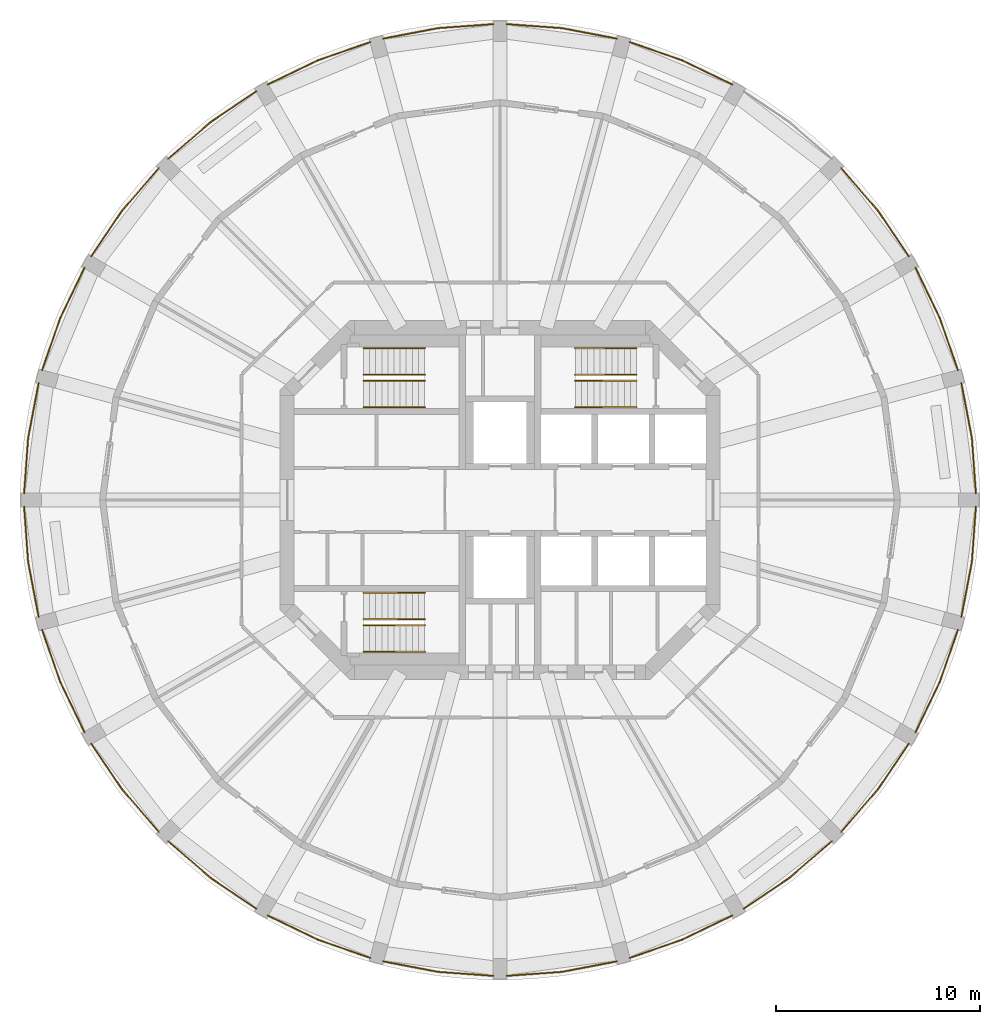
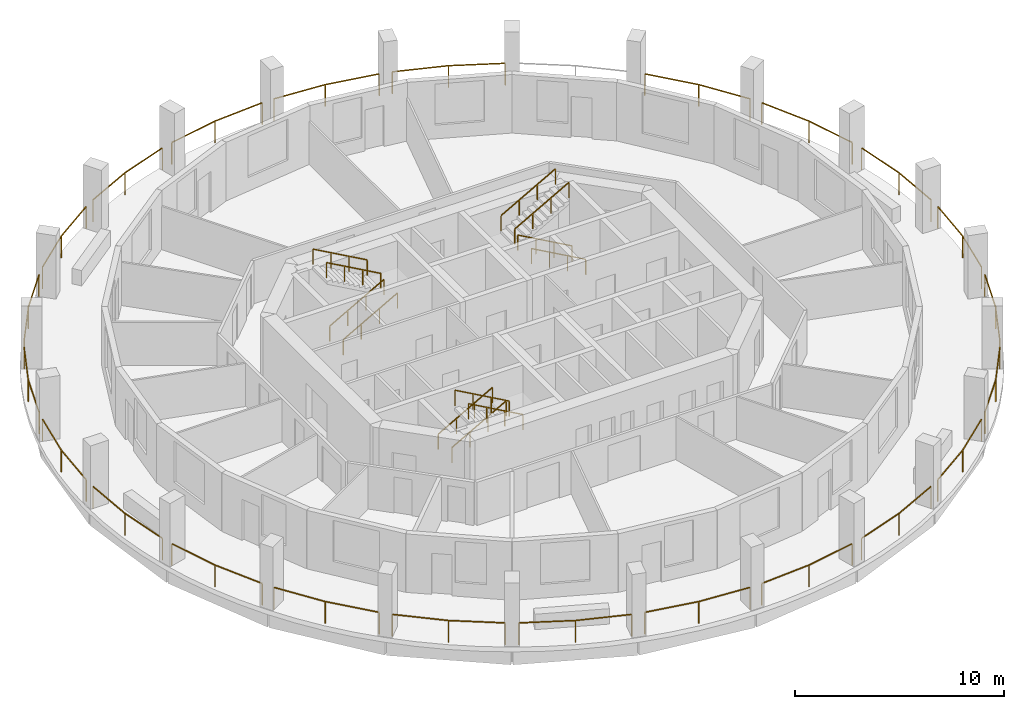
# One storey, part 8 of 9: 35 railings.
"""IFC4 building model written with IfcOpenShell, lengths in metres."""

from ifc_helpers import new_model, si_unit, direction, frame, origin, origin_2d, place, context, subcontext, project, spatial, rectangle, extrude, material, type_object, element, save


model = new_model("IFC4")

# Units and contexts
model_context = context("Model", 3, precision=1e-05, world=origin(), true_north=direction((0.0, 1.0)))
body_context = subcontext(model_context, "Body", "Model", "MODEL_VIEW")
ifc_project = project(units=[si_unit("LENGTHUNIT", "METRE"), si_unit("AREAUNIT", "SQUARE_METRE"), si_unit("VOLUMEUNIT", "CUBIC_METRE"), si_unit("PLANEANGLEUNIT", "RADIAN"), si_unit("MASSUNIT", "GRAM", prefix="KILO")], contexts=[model_context])

# Site, building, storey
site_placement = place(None, origin())
site = spatial("IfcSite", under=ifc_project, at=site_placement, CompositionType="ELEMENT")
building_placement = place(site_placement, origin())
building = spatial("IfcBuilding", under=site, at=building_placement, Name="Torre Triforio", CompositionType="ELEMENT")
storey_placement = place(building_placement, frame((0.0, 0.0, 215.0)))
storey = spatial("IfcBuildingStorey", under=building, at=storey_placement, Name="L49", CompositionType="ELEMENT", Elevation=215.0)

# Railings
ifc_material = material(Name="Stainless steel AISI 316", Category="steel")
railing_type_1 = type_object("IfcRailingType", Name="HANDRAIL 920", PredefinedType="HANDRAIL", material=ifc_material)
for number, where, name in (
    (1, (-6.699951171875, 4.550048828125, 0.168212890625), "Handrail ST1"),
    (2, (-6.699951171875, 5.85009765625, 0.168212890625), "Handrail ST1"),
):
    element("IfcRailing", number, at=place(storey_placement, frame(where)), inside=storey, type_object=railing_type_1, Name=name, PredefinedType="HANDRAIL", context=body_context, shape_type="SweptSolid", body=[
        extrude(rectangle(XDim=0.048095703125, YDim=0.048095703125, at=origin_2d()), frame((0.0, 0.0, 0.89599609375), z_axis=(0.872272294576, 0.0, 0.489020494575), x_axis=(0.0, 1.0, 0.0)), (0.0, 0.0, 1.0), 3.439208984375),
        extrude(rectangle(XDim=0.0419921875, YDim=0.0419921875, at=origin_2d()), origin(), (0.0, 0.0, 1.0), 0.871826171875),
        extrude(rectangle(XDim=0.0419921875, YDim=0.0419921875, at=origin_2d()), frame((1.0, 0.0, 0.560546875)), (0.0, 0.0, 1.0), 0.871826171875),
        extrude(rectangle(XDim=0.0419921875, YDim=0.0419921875, at=origin_2d()), frame((2.0, 0.0, 1.121337890625)), (0.0, 0.0, 1.0), 0.871826171875),
        extrude(rectangle(XDim=0.0419921875, YDim=0.0419921875, at=origin_2d()), frame((3.0, 0.0, 1.681884765625)), (0.0, 0.0, 1.0), 0.871826171875),
    ])
for number, where, name in (
    (3, (-3.699951171875, 7.449951171875, 2.01806640625), "Handrail ST1"),
    (4, (-3.699951171875, 6.14990234375, 2.01806640625), "Handrail ST1"),
    (5, (6.699951171875, 4.550048828125, 0.168212890625), "Handrail ST2"),
    (6, (6.699951171875, 5.85009765625, 0.168212890625), "Handrail ST2"),
):
    element("IfcRailing", number, at=place(storey_placement, frame(where)), inside=storey, type_object=railing_type_1, Name=name, PredefinedType="HANDRAIL", context=body_context, shape_type="SweptSolid", body=[
        extrude(rectangle(XDim=0.048095703125, YDim=0.048095703125, at=origin_2d()), frame((0.0, 0.0, 0.89599609375), z_axis=(-0.872272294576, 0.0, 0.489020494575), x_axis=(0.0, -1.0, 0.0)), (0.0, 0.0, 1.0), 3.439208984375),
        extrude(rectangle(XDim=0.0419921875, YDim=0.0419921875, at=origin_2d()), origin(), (0.0, 0.0, 1.0), 0.871826171875),
        extrude(rectangle(XDim=0.0419921875, YDim=0.0419921875, at=origin_2d()), frame((-1.0, 0.0, 0.560546875)), (0.0, 0.0, 1.0), 0.871826171875),
        extrude(rectangle(XDim=0.0419921875, YDim=0.0419921875, at=origin_2d()), frame((-2.0, 0.0, 1.121337890625)), (0.0, 0.0, 1.0), 0.871826171875),
        extrude(rectangle(XDim=0.0419921875, YDim=0.0419921875, at=origin_2d()), frame((-3.0, 0.0, 1.681884765625)), (0.0, 0.0, 1.0), 0.871826171875),
    ])
for number, where, name in (
    (7, (3.699951171875, 7.449951171875, 2.01806640625), "Handrail ST2"),
    (8, (3.699951171875, 6.14990234375, 2.01806640625), "Handrail ST2"),
    (9, (-6.699951171875, -4.550048828125, 0.168212890625), "Handrail ST3"),
    (10, (-6.699951171875, -5.85009765625, 0.168212890625), "Handrail ST3"),
):
    element("IfcRailing", number, at=place(storey_placement, frame(where)), inside=storey, type_object=railing_type_1, Name=name, PredefinedType="HANDRAIL", context=body_context, shape_type="SweptSolid", body=[
        extrude(rectangle(XDim=0.048095703125, YDim=0.048095703125, at=origin_2d()), frame((0.0, 0.0, 0.89599609375), z_axis=(0.872272294576, 0.0, 0.489020494575), x_axis=(0.0, 1.0, 0.0)), (0.0, 0.0, 1.0), 3.439208984375),
        extrude(rectangle(XDim=0.0419921875, YDim=0.0419921875, at=origin_2d()), origin(), (0.0, 0.0, 1.0), 0.871826171875),
        extrude(rectangle(XDim=0.0419921875, YDim=0.0419921875, at=origin_2d()), frame((1.0, 0.0, 0.560546875)), (0.0, 0.0, 1.0), 0.871826171875),
        extrude(rectangle(XDim=0.0419921875, YDim=0.0419921875, at=origin_2d()), frame((2.0, 0.0, 1.121337890625)), (0.0, 0.0, 1.0), 0.871826171875),
        extrude(rectangle(XDim=0.0419921875, YDim=0.0419921875, at=origin_2d()), frame((3.0, 0.0, 1.681884765625)), (0.0, 0.0, 1.0), 0.871826171875),
    ])
for number, where, name in (
    (11, (-3.699951171875, -7.449951171875, 2.01806640625), "Handrail ST3"),
    (12, (-3.699951171875, -6.14990234375, 2.01806640625), "Handrail ST3"),
):
    element("IfcRailing", number, at=place(storey_placement, frame(where)), inside=storey, type_object=railing_type_1, Name=name, PredefinedType="HANDRAIL", context=body_context, shape_type="SweptSolid", body=[
        extrude(rectangle(XDim=0.048095703125, YDim=0.048095703125, at=origin_2d()), frame((0.0, 0.0, 0.89599609375), z_axis=(-0.872272294576, 0.0, 0.489020494575), x_axis=(0.0, -1.0, 0.0)), (0.0, 0.0, 1.0), 3.439208984375),
        extrude(rectangle(XDim=0.0419921875, YDim=0.0419921875, at=origin_2d()), origin(), (0.0, 0.0, 1.0), 0.871826171875),
        extrude(rectangle(XDim=0.0419921875, YDim=0.0419921875, at=origin_2d()), frame((-1.0, 0.0, 0.560546875)), (0.0, 0.0, 1.0), 0.871826171875),
        extrude(rectangle(XDim=0.0419921875, YDim=0.0419921875, at=origin_2d()), frame((-2.0, 0.0, 1.121337890625)), (0.0, 0.0, 1.0), 0.871826171875),
        extrude(rectangle(XDim=0.0419921875, YDim=0.0419921875, at=origin_2d()), frame((-3.0, 0.0, 1.681884765625)), (0.0, 0.0, 1.0), 0.871826171875),
    ])
railing_type_2 = type_object("IfcRailingType", Name="Loggia guard 1300", PredefinedType="GUARDRAIL", material=ifc_material)
railing_1_placement = place(storey_placement, frame((23.35009765625, 0.320068359375, 0.0)))
element("IfcRailing", 13, at=railing_1_placement, inside=storey, type_object=railing_type_2, Name="Loggia guard L49 bay 01", PredefinedType="GUARDRAIL", context=body_context, shape_type="SweptSolid", body=[
    extrude(rectangle(XDim=0.050048828125, YDim=0.050048828125, at=origin_2d()), frame((0.0, 0.0, 1.27490234375), z_axis=(-0.073105569346, 0.997324207934, 0.0), x_axis=(-0.997324207934, -0.073105569346, 0.0)), (0.0, 0.0, 1.0), 2.735107421875),
    extrude(rectangle(XDim=0.050048828125, YDim=0.050048828125, at=origin_2d()), frame((-0.199951171875, 2.727783203125, 1.27490234375), z_axis=(-0.187542781797, 0.982256435457, 0.0), x_axis=(-0.982256435457, -0.187542781797, 0.0)), (0.0, 0.0, 1.0), 2.735107421875),
    extrude(rectangle(XDim=0.0400390625, YDim=0.0400390625, at=origin_2d()), origin(), (0.0, 0.0, 1.0), 1.25),
    extrude(rectangle(XDim=0.0400390625, YDim=0.0400390625, at=origin_2d()), frame((-0.199951171875, 2.727783203125, 0.0)), (0.0, 0.0, 1.0), 1.25),
    extrude(rectangle(XDim=0.0400390625, YDim=0.0400390625, at=origin_2d()), frame((-0.712890625, 5.414306640625, 0.0)), (0.0, 0.0, 1.0), 1.25),
])
railing_2_placement = place(storey_placement, frame((22.471435546875, 6.3525390625, 0.0)))
element("IfcRailing", 14, at=railing_2_placement, inside=storey, type_object=railing_type_2, Name="Loggia guard L49 bay 02", PredefinedType="GUARDRAIL", context=body_context, shape_type="SweptSolid", body=[
    extrude(rectangle(XDim=0.050048828125, YDim=0.050048828125, at=origin_2d()), frame((0.0, 0.0, 1.27490234375), z_axis=(-0.328652177394, 0.944451029061, 0.0), x_axis=(-0.944451029061, -0.328652177394, 0.0)), (0.0, 0.0, 1.0), 2.735107421875),
    extrude(rectangle(XDim=0.050048828125, YDim=0.050048828125, at=origin_2d()), frame((-0.89892578125, 2.583251953125, 1.27490234375), z_axis=(-0.435427931096, 0.900223592682, 0.0), x_axis=(-0.900223592682, -0.435427931096, 0.0)), (0.0, 0.0, 1.0), 2.735107421875),
    extrude(rectangle(XDim=0.0400390625, YDim=0.0400390625, at=origin_2d()), origin(), (0.0, 0.0, 1.0), 1.25),
    extrude(rectangle(XDim=0.0400390625, YDim=0.0400390625, at=origin_2d()), frame((-0.89892578125, 2.583251953125, 0.0)), (0.0, 0.0, 1.0), 1.25),
    extrude(rectangle(XDim=0.0400390625, YDim=0.0400390625, at=origin_2d()), frame((-2.08984375, 5.04541015625, 0.0)), (0.0, 0.0, 1.0), 1.25),
])
railing_3_placement = place(storey_placement, frame((20.061767578125, 11.9521484375, 0.0)))
element("IfcRailing", 15, at=railing_3_placement, inside=storey, type_object=railing_type_2, Name="Loggia guard L49 bay 03", PredefinedType="GUARDRAIL", context=body_context, shape_type="SweptSolid", body=[
    extrude(rectangle(XDim=0.050048828125, YDim=0.050048828125, at=origin_2d()), frame((0.0, 0.0, 1.27490234375), z_axis=(-0.561909542334, 0.827198686069, 0.0), x_axis=(-0.827198686069, -0.561909542334, 0.0)), (0.0, 0.0, 1.0), 2.735107421875),
    extrude(rectangle(XDim=0.050048828125, YDim=0.050048828125, at=origin_2d()), frame((-1.536865234375, 2.262451171875, 1.27490234375), z_axis=(-0.653580361536, 0.756857127214, 0.0), x_axis=(-0.756857127214, -0.653580361536, 0.0)), (0.0, 0.0, 1.0), 2.735107421875),
    extrude(rectangle(XDim=0.0400390625, YDim=0.0400390625, at=origin_2d()), origin(), (0.0, 0.0, 1.0), 1.25),
    extrude(rectangle(XDim=0.0400390625, YDim=0.0400390625, at=origin_2d()), frame((-1.536865234375, 2.262451171875, 0.0)), (0.0, 0.0, 1.0), 1.25),
    extrude(rectangle(XDim=0.0400390625, YDim=0.0400390625, at=origin_2d()), frame((-3.324462890625, 4.33251953125, 0.0)), (0.0, 0.0, 1.0), 1.25),
])
railing_4_placement = place(storey_placement, frame((11.39794921875, 20.381591796875, 0.0)))
element("IfcRailing", 16, at=railing_4_placement, inside=storey, type_object=railing_type_2, Name="Loggia guard L49 bay 05", PredefinedType="GUARDRAIL", context=body_context, shape_type="SweptSolid", body=[
    extrude(rectangle(XDim=0.050048828125, YDim=0.050048828125, at=origin_2d()), frame((0.0, 0.0, 1.27490234375), z_axis=(-0.900223592682, 0.435427931096, 0.0), x_axis=(-0.435427931096, -0.900223592682, 0.0)), (0.0, 0.0, 1.0), 2.735107421875),
    extrude(rectangle(XDim=0.050048828125, YDim=0.050048828125, at=origin_2d()), frame((-2.462158203125, 1.19091796875, 1.27490234375), z_axis=(-0.944451029061, 0.328652177394, 0.0), x_axis=(-0.328652177394, -0.944451029061, 0.0)), (0.0, 0.0, 1.0), 2.735107421875),
    extrude(rectangle(XDim=0.0400390625, YDim=0.0400390625, at=origin_2d()), origin(), (0.0, 0.0, 1.0), 1.25),
    extrude(rectangle(XDim=0.0400390625, YDim=0.0400390625, at=origin_2d()), frame((-2.462158203125, 1.19091796875, 0.0)), (0.0, 0.0, 1.0), 1.25),
    extrude(rectangle(XDim=0.0400390625, YDim=0.0400390625, at=origin_2d()), frame((-5.04541015625, 2.08984375, 0.0)), (0.0, 0.0, 1.0), 1.25),
])
railing_5_placement = place(storey_placement, frame((5.734375, 22.63720703125, 0.0)))
element("IfcRailing", 17, at=railing_5_placement, inside=storey, type_object=railing_type_2, Name="Loggia guard L49 bay 06", PredefinedType="GUARDRAIL", context=body_context, shape_type="SweptSolid", body=[
    extrude(rectangle(XDim=0.050048828125, YDim=0.050048828125, at=origin_2d()), frame((0.0, 0.0, 1.27490234375), z_axis=(-0.982256435457, 0.187542781797, 0.0), x_axis=(-0.187542781797, -0.982256435457, 0.0)), (0.0, 0.0, 1.0), 2.735107421875),
    extrude(rectangle(XDim=0.050048828125, YDim=0.050048828125, at=origin_2d()), frame((-2.6865234375, 0.512939453125, 1.27490234375), z_axis=(-0.997324207934, 0.073105569346, 0.0), x_axis=(-0.073105569346, -0.997324207934, 0.0)), (0.0, 0.0, 1.0), 2.735107421875),
    extrude(rectangle(XDim=0.0400390625, YDim=0.0400390625, at=origin_2d()), origin(), (0.0, 0.0, 1.0), 1.25),
    extrude(rectangle(XDim=0.0400390625, YDim=0.0400390625, at=origin_2d()), frame((-2.6865234375, 0.512939453125, 0.0)), (0.0, 0.0, 1.0), 1.25),
    extrude(rectangle(XDim=0.0400390625, YDim=0.0400390625, at=origin_2d()), frame((-5.414306640625, 0.712890625, 0.0)), (0.0, 0.0, 1.0), 1.25),
])
railing_6_placement = place(storey_placement, frame((-0.320068359375, 23.35009765625, 0.0)))
element("IfcRailing", 18, at=railing_6_placement, inside=storey, type_object=railing_type_2, Name="Loggia guard L49 bay 07", PredefinedType="GUARDRAIL", context=body_context, shape_type="SweptSolid", body=[
    extrude(rectangle(XDim=0.050048828125, YDim=0.050048828125, at=origin_2d()), frame((0.0, 0.0, 1.27490234375), z_axis=(-0.997324207934, -0.073105569346, 0.0), x_axis=(0.073105569346, -0.997324207934, 0.0)), (0.0, 0.0, 1.0), 2.735107421875),
    extrude(rectangle(XDim=0.050048828125, YDim=0.050048828125, at=origin_2d()), frame((-2.727783203125, -0.199951171875, 1.27490234375), z_axis=(-0.982256435457, -0.187542781797, 0.0), x_axis=(0.187542781797, -0.982256435457, 0.0)), (0.0, 0.0, 1.0), 2.735107421875),
    extrude(rectangle(XDim=0.0400390625, YDim=0.0400390625, at=origin_2d()), origin(), (0.0, 0.0, 1.0), 1.25),
    extrude(rectangle(XDim=0.0400390625, YDim=0.0400390625, at=origin_2d()), frame((-2.727783203125, -0.199951171875, 0.0)), (0.0, 0.0, 1.0), 1.25),
    extrude(rectangle(XDim=0.0400390625, YDim=0.0400390625, at=origin_2d()), frame((-5.414306640625, -0.712890625, 0.0)), (0.0, 0.0, 1.0), 1.25),
])
railing_7_placement = place(storey_placement, frame((-6.3525390625, 22.471435546875, 0.0)))
element("IfcRailing", 19, at=railing_7_placement, inside=storey, type_object=railing_type_2, Name="Loggia guard L49 bay 08", PredefinedType="GUARDRAIL", context=body_context, shape_type="SweptSolid", body=[
    extrude(rectangle(XDim=0.050048828125, YDim=0.050048828125, at=origin_2d()), frame((0.0, 0.0, 1.27490234375), z_axis=(-0.944451029061, -0.328652177394, 0.0), x_axis=(0.328652177394, -0.944451029061, 0.0)), (0.0, 0.0, 1.0), 2.735107421875),
    extrude(rectangle(XDim=0.050048828125, YDim=0.050048828125, at=origin_2d()), frame((-2.583251953125, -0.89892578125, 1.27490234375), z_axis=(-0.900223592682, -0.435427931096, 0.0), x_axis=(0.435427931096, -0.900223592682, 0.0)), (0.0, 0.0, 1.0), 2.735107421875),
    extrude(rectangle(XDim=0.0400390625, YDim=0.0400390625, at=origin_2d()), origin(), (0.0, 0.0, 1.0), 1.25),
    extrude(rectangle(XDim=0.0400390625, YDim=0.0400390625, at=origin_2d()), frame((-2.583251953125, -0.89892578125, 0.0)), (0.0, 0.0, 1.0), 1.25),
    extrude(rectangle(XDim=0.0400390625, YDim=0.0400390625, at=origin_2d()), frame((-5.04541015625, -2.08984375, 0.0)), (0.0, 0.0, 1.0), 1.25),
])
railing_8_placement = place(storey_placement, frame((-11.9521484375, 20.061767578125, 0.0)))
element("IfcRailing", 20, at=railing_8_placement, inside=storey, type_object=railing_type_2, Name="Loggia guard L49 bay 09", PredefinedType="GUARDRAIL", context=body_context, shape_type="SweptSolid", body=[
    extrude(rectangle(XDim=0.050048828125, YDim=0.050048828125, at=origin_2d()), frame((0.0, 0.0, 1.27490234375), z_axis=(-0.827198686069, -0.561909542334, 0.0), x_axis=(0.561909542334, -0.827198686069, 0.0)), (0.0, 0.0, 1.0), 2.735107421875),
    extrude(rectangle(XDim=0.050048828125, YDim=0.050048828125, at=origin_2d()), frame((-2.262451171875, -1.536865234375, 1.27490234375), z_axis=(-0.756857127214, -0.653580361536, 0.0), x_axis=(0.653580361536, -0.756857127214, 0.0)), (0.0, 0.0, 1.0), 2.735107421875),
    extrude(rectangle(XDim=0.0400390625, YDim=0.0400390625, at=origin_2d()), origin(), (0.0, 0.0, 1.0), 1.25),
    extrude(rectangle(XDim=0.0400390625, YDim=0.0400390625, at=origin_2d()), frame((-2.262451171875, -1.536865234375, 0.0)), (0.0, 0.0, 1.0), 1.25),
    extrude(rectangle(XDim=0.0400390625, YDim=0.0400390625, at=origin_2d()), frame((-4.33251953125, -3.324462890625, 0.0)), (0.0, 0.0, 1.0), 1.25),
])
railing_9_placement = place(storey_placement, frame((-16.7373046875, 16.28466796875, 0.0)))
element("IfcRailing", 21, at=railing_9_placement, inside=storey, type_object=railing_type_2, Name="Loggia guard L49 bay 10", PredefinedType="GUARDRAIL", context=body_context, shape_type="SweptSolid", body=[
    extrude(rectangle(XDim=0.050048828125, YDim=0.050048828125, at=origin_2d()), frame((0.0, 0.0, 1.27490234375), z_axis=(-0.653580361536, -0.756857127214, 0.0), x_axis=(0.756857127214, -0.653580361536, 0.0)), (0.0, 0.0, 1.0), 2.735107421875),
    extrude(rectangle(XDim=0.050048828125, YDim=0.050048828125, at=origin_2d()), frame((-1.78759765625, -2.070068359375, 1.27490234375), z_axis=(-0.561909542334, -0.827198686069, 0.0), x_axis=(0.827198686069, -0.561909542334, 0.0)), (0.0, 0.0, 1.0), 2.735107421875),
    extrude(rectangle(XDim=0.0400390625, YDim=0.0400390625, at=origin_2d()), origin(), (0.0, 0.0, 1.0), 1.25),
    extrude(rectangle(XDim=0.0400390625, YDim=0.0400390625, at=origin_2d()), frame((-1.78759765625, -2.070068359375, 0.0)), (0.0, 0.0, 1.0), 1.25),
    extrude(rectangle(XDim=0.0400390625, YDim=0.0400390625, at=origin_2d()), frame((-3.324462890625, -4.33251953125, 0.0)), (0.0, 0.0, 1.0), 1.25),
])
railing_10_placement = place(storey_placement, frame((-20.381591796875, 11.39794921875, 0.0)))
element("IfcRailing", 22, at=railing_10_placement, inside=storey, type_object=railing_type_2, Name="Loggia guard L49 bay 11", PredefinedType="GUARDRAIL", context=body_context, shape_type="SweptSolid", body=[
    extrude(rectangle(XDim=0.050048828125, YDim=0.050048828125, at=origin_2d()), frame((0.0, 0.0, 1.27490234375), z_axis=(-0.435427931096, -0.900223592682, 0.0), x_axis=(0.900223592682, -0.435427931096, 0.0)), (0.0, 0.0, 1.0), 2.735107421875),
    extrude(rectangle(XDim=0.050048828125, YDim=0.050048828125, at=origin_2d()), frame((-1.19091796875, -2.462158203125, 1.27490234375), z_axis=(-0.328652177394, -0.944451029061, 0.0), x_axis=(0.944451029061, -0.328652177394, 0.0)), (0.0, 0.0, 1.0), 2.735107421875),
    extrude(rectangle(XDim=0.0400390625, YDim=0.0400390625, at=origin_2d()), origin(), (0.0, 0.0, 1.0), 1.25),
    extrude(rectangle(XDim=0.0400390625, YDim=0.0400390625, at=origin_2d()), frame((-1.19091796875, -2.462158203125, 0.0)), (0.0, 0.0, 1.0), 1.25),
    extrude(rectangle(XDim=0.0400390625, YDim=0.0400390625, at=origin_2d()), frame((-2.08984375, -5.04541015625, 0.0)), (0.0, 0.0, 1.0), 1.25),
])
railing_11_placement = place(storey_placement, frame((-22.63720703125, 5.734375, 0.0)))
element("IfcRailing", 23, at=railing_11_placement, inside=storey, type_object=railing_type_2, Name="Loggia guard L49 bay 12", PredefinedType="GUARDRAIL", context=body_context, shape_type="SweptSolid", body=[
    extrude(rectangle(XDim=0.050048828125, YDim=0.050048828125, at=origin_2d()), frame((0.0, 0.0, 1.27490234375), z_axis=(-0.187542781797, -0.982256435457, 0.0), x_axis=(0.982256435457, -0.187542781797, 0.0)), (0.0, 0.0, 1.0), 2.735107421875),
    extrude(rectangle(XDim=0.050048828125, YDim=0.050048828125, at=origin_2d()), frame((-0.512939453125, -2.6865234375, 1.27490234375), z_axis=(-0.073105569346, -0.997324207934, 0.0), x_axis=(0.997324207934, -0.073105569346, 0.0)), (0.0, 0.0, 1.0), 2.735107421875),
    extrude(rectangle(XDim=0.0400390625, YDim=0.0400390625, at=origin_2d()), origin(), (0.0, 0.0, 1.0), 1.25),
    extrude(rectangle(XDim=0.0400390625, YDim=0.0400390625, at=origin_2d()), frame((-0.512939453125, -2.6865234375, 0.0)), (0.0, 0.0, 1.0), 1.25),
    extrude(rectangle(XDim=0.0400390625, YDim=0.0400390625, at=origin_2d()), frame((-0.712890625, -5.414306640625, 0.0)), (0.0, 0.0, 1.0), 1.25),
])
railing_12_placement = place(storey_placement, frame((-23.35009765625, -0.320068359375, 0.0)))
element("IfcRailing", 24, at=railing_12_placement, inside=storey, type_object=railing_type_2, Name="Loggia guard L49 bay 13", PredefinedType="GUARDRAIL", context=body_context, shape_type="SweptSolid", body=[
    extrude(rectangle(XDim=0.050048828125, YDim=0.050048828125, at=origin_2d()), frame((0.0, 0.0, 1.27490234375), z_axis=(0.073105569346, -0.997324207934, 0.0), x_axis=(0.997324207934, 0.073105569346, 0.0)), (0.0, 0.0, 1.0), 2.735107421875),
    extrude(rectangle(XDim=0.050048828125, YDim=0.050048828125, at=origin_2d()), frame((0.199951171875, -2.727783203125, 1.27490234375), z_axis=(0.187542781797, -0.982256435457, 0.0), x_axis=(0.982256435457, 0.187542781797, 0.0)), (0.0, 0.0, 1.0), 2.735107421875),
    extrude(rectangle(XDim=0.0400390625, YDim=0.0400390625, at=origin_2d()), origin(), (0.0, 0.0, 1.0), 1.25),
    extrude(rectangle(XDim=0.0400390625, YDim=0.0400390625, at=origin_2d()), frame((0.199951171875, -2.727783203125, 0.0)), (0.0, 0.0, 1.0), 1.25),
    extrude(rectangle(XDim=0.0400390625, YDim=0.0400390625, at=origin_2d()), frame((0.712890625, -5.414306640625, 0.0)), (0.0, 0.0, 1.0), 1.25),
])
railing_13_placement = place(storey_placement, frame((-22.471435546875, -6.3525390625, 0.0)))
element("IfcRailing", 25, at=railing_13_placement, inside=storey, type_object=railing_type_2, Name="Loggia guard L49 bay 14", PredefinedType="GUARDRAIL", context=body_context, shape_type="SweptSolid", body=[
    extrude(rectangle(XDim=0.050048828125, YDim=0.050048828125, at=origin_2d()), frame((0.0, 0.0, 1.27490234375), z_axis=(0.328652177394, -0.944451029061, 0.0), x_axis=(0.944451029061, 0.328652177394, 0.0)), (0.0, 0.0, 1.0), 2.735107421875),
    extrude(rectangle(XDim=0.050048828125, YDim=0.050048828125, at=origin_2d()), frame((0.89892578125, -2.583251953125, 1.27490234375), z_axis=(0.435427931096, -0.900223592682, 0.0), x_axis=(0.900223592682, 0.435427931096, 0.0)), (0.0, 0.0, 1.0), 2.735107421875),
    extrude(rectangle(XDim=0.0400390625, YDim=0.0400390625, at=origin_2d()), origin(), (0.0, 0.0, 1.0), 1.25),
    extrude(rectangle(XDim=0.0400390625, YDim=0.0400390625, at=origin_2d()), frame((0.89892578125, -2.583251953125, 0.0)), (0.0, 0.0, 1.0), 1.25),
    extrude(rectangle(XDim=0.0400390625, YDim=0.0400390625, at=origin_2d()), frame((2.08984375, -5.04541015625, 0.0)), (0.0, 0.0, 1.0), 1.25),
])
railing_14_placement = place(storey_placement, frame((-20.061767578125, -11.9521484375, 0.0)))
element("IfcRailing", 26, at=railing_14_placement, inside=storey, type_object=railing_type_2, Name="Loggia guard L49 bay 15", PredefinedType="GUARDRAIL", context=body_context, shape_type="SweptSolid", body=[
    extrude(rectangle(XDim=0.050048828125, YDim=0.050048828125, at=origin_2d()), frame((0.0, 0.0, 1.27490234375), z_axis=(0.561909542334, -0.827198686069, 0.0), x_axis=(0.827198686069, 0.561909542334, 0.0)), (0.0, 0.0, 1.0), 2.735107421875),
    extrude(rectangle(XDim=0.050048828125, YDim=0.050048828125, at=origin_2d()), frame((1.536865234375, -2.262451171875, 1.27490234375), z_axis=(0.653580361536, -0.756857127214, 0.0), x_axis=(0.756857127214, 0.653580361536, 0.0)), (0.0, 0.0, 1.0), 2.735107421875),
    extrude(rectangle(XDim=0.0400390625, YDim=0.0400390625, at=origin_2d()), origin(), (0.0, 0.0, 1.0), 1.25),
    extrude(rectangle(XDim=0.0400390625, YDim=0.0400390625, at=origin_2d()), frame((1.536865234375, -2.262451171875, 0.0)), (0.0, 0.0, 1.0), 1.25),
    extrude(rectangle(XDim=0.0400390625, YDim=0.0400390625, at=origin_2d()), frame((3.324462890625, -4.33251953125, 0.0)), (0.0, 0.0, 1.0), 1.25),
])
railing_15_placement = place(storey_placement, frame((-16.28466796875, -16.7373046875, 0.0)))
element("IfcRailing", 27, at=railing_15_placement, inside=storey, type_object=railing_type_2, Name="Loggia guard L49 bay 16", PredefinedType="GUARDRAIL", context=body_context, shape_type="SweptSolid", body=[
    extrude(rectangle(XDim=0.050048828125, YDim=0.050048828125, at=origin_2d()), frame((0.0, 0.0, 1.27490234375), z_axis=(0.756857127214, -0.653580361536, 0.0), x_axis=(0.653580361536, 0.756857127214, 0.0)), (0.0, 0.0, 1.0), 2.735107421875),
    extrude(rectangle(XDim=0.050048828125, YDim=0.050048828125, at=origin_2d()), frame((2.070068359375, -1.78759765625, 1.27490234375), z_axis=(0.827198686069, -0.561909542334, 0.0), x_axis=(0.561909542334, 0.827198686069, 0.0)), (0.0, 0.0, 1.0), 2.735107421875),
    extrude(rectangle(XDim=0.0400390625, YDim=0.0400390625, at=origin_2d()), origin(), (0.0, 0.0, 1.0), 1.25),
    extrude(rectangle(XDim=0.0400390625, YDim=0.0400390625, at=origin_2d()), frame((2.070068359375, -1.78759765625, 0.0)), (0.0, 0.0, 1.0), 1.25),
    extrude(rectangle(XDim=0.0400390625, YDim=0.0400390625, at=origin_2d()), frame((4.33251953125, -3.324462890625, 0.0)), (0.0, 0.0, 1.0), 1.25),
])
railing_16_placement = place(storey_placement, frame((-11.39794921875, -20.381591796875, 0.0)))
element("IfcRailing", 28, at=railing_16_placement, inside=storey, type_object=railing_type_2, Name="Loggia guard L49 bay 17", PredefinedType="GUARDRAIL", context=body_context, shape_type="SweptSolid", body=[
    extrude(rectangle(XDim=0.050048828125, YDim=0.050048828125, at=origin_2d()), frame((0.0, 0.0, 1.27490234375), z_axis=(0.900223592682, -0.435427931096, 0.0), x_axis=(0.435427931096, 0.900223592682, 0.0)), (0.0, 0.0, 1.0), 2.735107421875),
    extrude(rectangle(XDim=0.050048828125, YDim=0.050048828125, at=origin_2d()), frame((2.462158203125, -1.19091796875, 1.27490234375), z_axis=(0.944451029061, -0.328652177394, 0.0), x_axis=(0.328652177394, 0.944451029061, 0.0)), (0.0, 0.0, 1.0), 2.735107421875),
    extrude(rectangle(XDim=0.0400390625, YDim=0.0400390625, at=origin_2d()), origin(), (0.0, 0.0, 1.0), 1.25),
    extrude(rectangle(XDim=0.0400390625, YDim=0.0400390625, at=origin_2d()), frame((2.462158203125, -1.19091796875, 0.0)), (0.0, 0.0, 1.0), 1.25),
    extrude(rectangle(XDim=0.0400390625, YDim=0.0400390625, at=origin_2d()), frame((5.04541015625, -2.08984375, 0.0)), (0.0, 0.0, 1.0), 1.25),
])
railing_17_placement = place(storey_placement, frame((-5.734375, -22.63720703125, 0.0)))
element("IfcRailing", 29, at=railing_17_placement, inside=storey, type_object=railing_type_2, Name="Loggia guard L49 bay 18", PredefinedType="GUARDRAIL", context=body_context, shape_type="SweptSolid", body=[
    extrude(rectangle(XDim=0.050048828125, YDim=0.050048828125, at=origin_2d()), frame((0.0, 0.0, 1.27490234375), z_axis=(0.982256435457, -0.187542781797, 0.0), x_axis=(0.187542781797, 0.982256435457, 0.0)), (0.0, 0.0, 1.0), 2.735107421875),
    extrude(rectangle(XDim=0.050048828125, YDim=0.050048828125, at=origin_2d()), frame((2.6865234375, -0.512939453125, 1.27490234375), z_axis=(0.997324207934, -0.073105569346, 0.0), x_axis=(0.073105569346, 0.997324207934, 0.0)), (0.0, 0.0, 1.0), 2.735107421875),
    extrude(rectangle(XDim=0.0400390625, YDim=0.0400390625, at=origin_2d()), origin(), (0.0, 0.0, 1.0), 1.25),
    extrude(rectangle(XDim=0.0400390625, YDim=0.0400390625, at=origin_2d()), frame((2.6865234375, -0.512939453125, 0.0)), (0.0, 0.0, 1.0), 1.25),
    extrude(rectangle(XDim=0.0400390625, YDim=0.0400390625, at=origin_2d()), frame((5.414306640625, -0.712890625, 0.0)), (0.0, 0.0, 1.0), 1.25),
])
railing_18_placement = place(storey_placement, frame((0.320068359375, -23.35009765625, 0.0)))
element("IfcRailing", 30, at=railing_18_placement, inside=storey, type_object=railing_type_2, Name="Loggia guard L49 bay 19", PredefinedType="GUARDRAIL", context=body_context, shape_type="SweptSolid", body=[
    extrude(rectangle(XDim=0.050048828125, YDim=0.050048828125, at=origin_2d()), frame((0.0, 0.0, 1.27490234375), z_axis=(0.997324207934, 0.073105569346, 0.0), x_axis=(-0.073105569346, 0.997324207934, 0.0)), (0.0, 0.0, 1.0), 2.735107421875),
    extrude(rectangle(XDim=0.050048828125, YDim=0.050048828125, at=origin_2d()), frame((2.727783203125, 0.199951171875, 1.27490234375), z_axis=(0.982256435457, 0.187542781797, 0.0), x_axis=(-0.187542781797, 0.982256435457, 0.0)), (0.0, 0.0, 1.0), 2.735107421875),
    extrude(rectangle(XDim=0.0400390625, YDim=0.0400390625, at=origin_2d()), origin(), (0.0, 0.0, 1.0), 1.25),
    extrude(rectangle(XDim=0.0400390625, YDim=0.0400390625, at=origin_2d()), frame((2.727783203125, 0.199951171875, 0.0)), (0.0, 0.0, 1.0), 1.25),
    extrude(rectangle(XDim=0.0400390625, YDim=0.0400390625, at=origin_2d()), frame((5.414306640625, 0.712890625, 0.0)), (0.0, 0.0, 1.0), 1.25),
])
railing_19_placement = place(storey_placement, frame((6.3525390625, -22.471435546875, 0.0)))
element("IfcRailing", 31, at=railing_19_placement, inside=storey, type_object=railing_type_2, Name="Loggia guard L49 bay 20", PredefinedType="GUARDRAIL", context=body_context, shape_type="SweptSolid", body=[
    extrude(rectangle(XDim=0.050048828125, YDim=0.050048828125, at=origin_2d()), frame((0.0, 0.0, 1.27490234375), z_axis=(0.944451029061, 0.328652177394, 0.0), x_axis=(-0.328652177394, 0.944451029061, 0.0)), (0.0, 0.0, 1.0), 2.735107421875),
    extrude(rectangle(XDim=0.050048828125, YDim=0.050048828125, at=origin_2d()), frame((2.583251953125, 0.89892578125, 1.27490234375), z_axis=(0.900223592682, 0.435427931096, 0.0), x_axis=(-0.435427931096, 0.900223592682, 0.0)), (0.0, 0.0, 1.0), 2.735107421875),
    extrude(rectangle(XDim=0.0400390625, YDim=0.0400390625, at=origin_2d()), origin(), (0.0, 0.0, 1.0), 1.25),
    extrude(rectangle(XDim=0.0400390625, YDim=0.0400390625, at=origin_2d()), frame((2.583251953125, 0.89892578125, 0.0)), (0.0, 0.0, 1.0), 1.25),
    extrude(rectangle(XDim=0.0400390625, YDim=0.0400390625, at=origin_2d()), frame((5.04541015625, 2.08984375, 0.0)), (0.0, 0.0, 1.0), 1.25),
])
railing_20_placement = place(storey_placement, frame((11.9521484375, -20.061767578125, 0.0)))
element("IfcRailing", 32, at=railing_20_placement, inside=storey, type_object=railing_type_2, Name="Loggia guard L49 bay 21", PredefinedType="GUARDRAIL", context=body_context, shape_type="SweptSolid", body=[
    extrude(rectangle(XDim=0.050048828125, YDim=0.050048828125, at=origin_2d()), frame((0.0, 0.0, 1.27490234375), z_axis=(0.827198686069, 0.561909542334, 0.0), x_axis=(-0.561909542334, 0.827198686069, 0.0)), (0.0, 0.0, 1.0), 2.735107421875),
    extrude(rectangle(XDim=0.050048828125, YDim=0.050048828125, at=origin_2d()), frame((2.262451171875, 1.536865234375, 1.27490234375), z_axis=(0.756857127214, 0.653580361536, 0.0), x_axis=(-0.653580361536, 0.756857127214, 0.0)), (0.0, 0.0, 1.0), 2.735107421875),
    extrude(rectangle(XDim=0.0400390625, YDim=0.0400390625, at=origin_2d()), origin(), (0.0, 0.0, 1.0), 1.25),
    extrude(rectangle(XDim=0.0400390625, YDim=0.0400390625, at=origin_2d()), frame((2.262451171875, 1.536865234375, 0.0)), (0.0, 0.0, 1.0), 1.25),
    extrude(rectangle(XDim=0.0400390625, YDim=0.0400390625, at=origin_2d()), frame((4.33251953125, 3.324462890625, 0.0)), (0.0, 0.0, 1.0), 1.25),
])
railing_21_placement = place(storey_placement, frame((16.7373046875, -16.28466796875, 0.0)))
element("IfcRailing", 33, at=railing_21_placement, inside=storey, type_object=railing_type_2, Name="Loggia guard L49 bay 22", PredefinedType="GUARDRAIL", context=body_context, shape_type="SweptSolid", body=[
    extrude(rectangle(XDim=0.050048828125, YDim=0.050048828125, at=origin_2d()), frame((0.0, 0.0, 1.27490234375), z_axis=(0.653580361536, 0.756857127214, 0.0), x_axis=(-0.756857127214, 0.653580361536, 0.0)), (0.0, 0.0, 1.0), 2.735107421875),
    extrude(rectangle(XDim=0.050048828125, YDim=0.050048828125, at=origin_2d()), frame((1.78759765625, 2.070068359375, 1.27490234375), z_axis=(0.561909542334, 0.827198686069, 0.0), x_axis=(-0.827198686069, 0.561909542334, 0.0)), (0.0, 0.0, 1.0), 2.735107421875),
    extrude(rectangle(XDim=0.0400390625, YDim=0.0400390625, at=origin_2d()), origin(), (0.0, 0.0, 1.0), 1.25),
    extrude(rectangle(XDim=0.0400390625, YDim=0.0400390625, at=origin_2d()), frame((1.78759765625, 2.070068359375, 0.0)), (0.0, 0.0, 1.0), 1.25),
    extrude(rectangle(XDim=0.0400390625, YDim=0.0400390625, at=origin_2d()), frame((3.324462890625, 4.33251953125, 0.0)), (0.0, 0.0, 1.0), 1.25),
])
railing_22_placement = place(storey_placement, frame((20.381591796875, -11.39794921875, 0.0)))
element("IfcRailing", 34, at=railing_22_placement, inside=storey, type_object=railing_type_2, Name="Loggia guard L49 bay 23", PredefinedType="GUARDRAIL", context=body_context, shape_type="SweptSolid", body=[
    extrude(rectangle(XDim=0.050048828125, YDim=0.050048828125, at=origin_2d()), frame((0.0, 0.0, 1.27490234375), z_axis=(0.435427931096, 0.900223592682, 0.0), x_axis=(-0.900223592682, 0.435427931096, 0.0)), (0.0, 0.0, 1.0), 2.735107421875),
    extrude(rectangle(XDim=0.050048828125, YDim=0.050048828125, at=origin_2d()), frame((1.19091796875, 2.462158203125, 1.27490234375), z_axis=(0.328652177394, 0.944451029061, 0.0), x_axis=(-0.944451029061, 0.328652177394, 0.0)), (0.0, 0.0, 1.0), 2.735107421875),
    extrude(rectangle(XDim=0.0400390625, YDim=0.0400390625, at=origin_2d()), origin(), (0.0, 0.0, 1.0), 1.25),
    extrude(rectangle(XDim=0.0400390625, YDim=0.0400390625, at=origin_2d()), frame((1.19091796875, 2.462158203125, 0.0)), (0.0, 0.0, 1.0), 1.25),
    extrude(rectangle(XDim=0.0400390625, YDim=0.0400390625, at=origin_2d()), frame((2.08984375, 5.04541015625, 0.0)), (0.0, 0.0, 1.0), 1.25),
])
railing_23_placement = place(storey_placement, frame((22.63720703125, -5.734375, 0.0)))
element("IfcRailing", 35, at=railing_23_placement, inside=storey, type_object=railing_type_2, Name="Loggia guard L49 bay 24", PredefinedType="GUARDRAIL", context=body_context, shape_type="SweptSolid", body=[
    extrude(rectangle(XDim=0.050048828125, YDim=0.050048828125, at=origin_2d()), frame((0.0, 0.0, 1.27490234375), z_axis=(0.187542781797, 0.982256435457, 0.0), x_axis=(-0.982256435457, 0.187542781797, 0.0)), (0.0, 0.0, 1.0), 2.735107421875),
    extrude(rectangle(XDim=0.050048828125, YDim=0.050048828125, at=origin_2d()), frame((0.512939453125, 2.6865234375, 1.27490234375), z_axis=(0.073105569346, 0.997324207934, 0.0), x_axis=(-0.997324207934, 0.073105569346, 0.0)), (0.0, 0.0, 1.0), 2.735107421875),
    extrude(rectangle(XDim=0.0400390625, YDim=0.0400390625, at=origin_2d()), origin(), (0.0, 0.0, 1.0), 1.25),
    extrude(rectangle(XDim=0.0400390625, YDim=0.0400390625, at=origin_2d()), frame((0.512939453125, 2.6865234375, 0.0)), (0.0, 0.0, 1.0), 1.25),
    extrude(rectangle(XDim=0.0400390625, YDim=0.0400390625, at=origin_2d()), frame((0.712890625, 5.414306640625, 0.0)), (0.0, 0.0, 1.0), 1.25),
])

save(model, "model.ifc")
